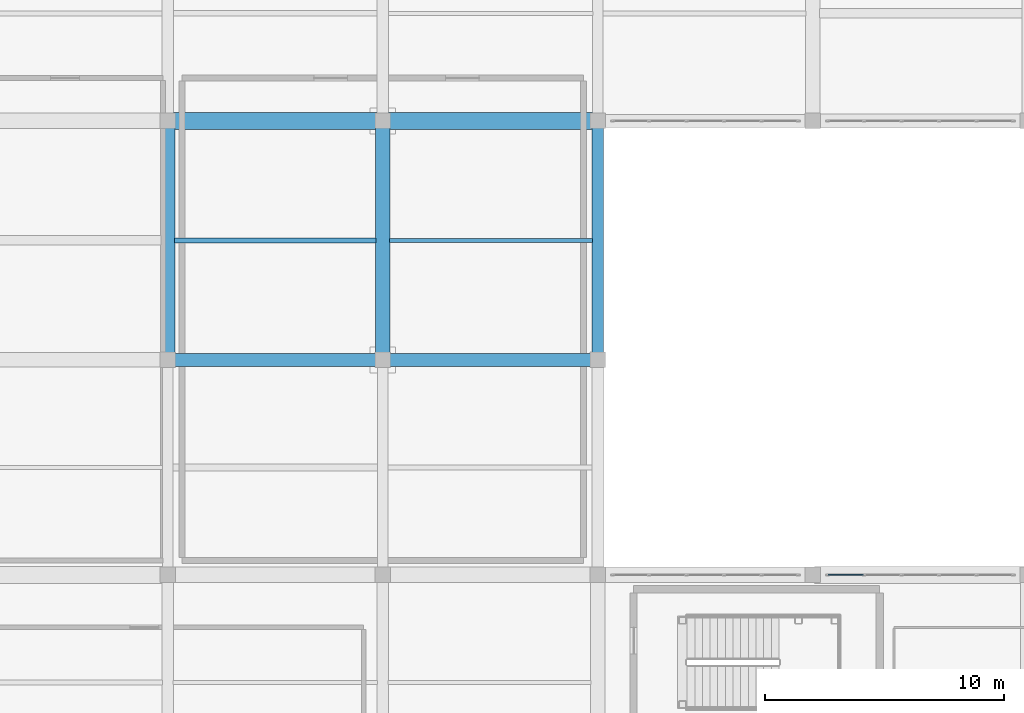
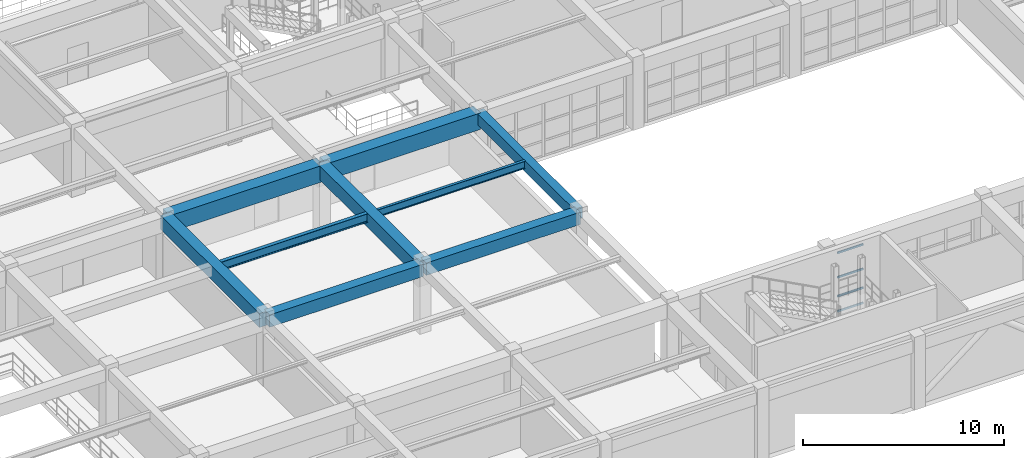
# One storey, part 45 of 133: 9 beams, 4 members, 1 element without a shape of its own.
"""IFC4 building model written with IfcOpenShell, lengths in metres."""

from ifc_helpers import new_model, si_unit, direction, frame, origin, origin_2d, place, context, subcontext, project, spatial, rectangle, hollow_rectangle, i_section, extrude, material, material_profile, profile_set, type_object, element, aggregate, save


model = new_model("IFC4")

# Units and contexts
model_context = context("Model", 3, precision=1e-05, world=origin(), true_north=direction((0.0, 1.0)))
body_context = subcontext(model_context, "Body", "Model", "MODEL_VIEW")
ifc_project = project(units=[si_unit("LENGTHUNIT", "METRE"), si_unit("AREAUNIT", "SQUARE_METRE"), si_unit("VOLUMEUNIT", "CUBIC_METRE"), si_unit("PLANEANGLEUNIT", "RADIAN"), si_unit("MASSUNIT", "GRAM", prefix="KILO")], contexts=[model_context])

# Site, building, storey
site_placement = place(None, origin())
site = spatial("IfcSite", under=ifc_project, at=site_placement, CompositionType="ELEMENT")
building_placement = place(site_placement, origin())
building = spatial("IfcBuilding", under=site, at=building_placement, Name="Miravela Opera House", CompositionType="ELEMENT")
storey_placement = place(building_placement, frame((0.0, 0.0, 5.10009765625)))
storey = spatial("IfcBuildingStorey", under=building, at=storey_placement, Name="L01", CompositionType="ELEMENT", Elevation=5.10009765625)

# Curtain wall, members
ifc_material_1 = material(Name="Anodised architectural bronze aluminium 6063-T6", Category="aluminium")
curtain_wall_type = type_object("IfcCurtainWallType", Name="ARC-CW-06", PredefinedType="NOTDEFINED", material=ifc_material_1)
curtain_wall_placement = place(storey_placement, origin())
curtain_wall = element("IfcCurtainWall", 1, at=curtain_wall_placement, inside=storey, type_object=curtain_wall_type, Name="Courtyard Arcade Curtain Wall CW-L01-175", PredefinedType="NOTDEFINED")
ifc_material_profile_1 = material_profile(ifc_material_1, hollow_rectangle(XDim=0.06005859375, YDim=0.114990234375, WallThickness=0.00390625, InnerFilletRadius=0.001953125, OuterFilletRadius=0.00390625, at=origin_2d()), Name="CWT-60X115")
ifc_profile_set_1 = profile_set([ifc_material_profile_1])
member_type = type_object("IfcMemberType", Name="ARC-CWT-115", PredefinedType="USERDEFINED", material=ifc_profile_set_1)
member_1_placement = place(storey_placement, frame((126.639892578125, 9.0, 0.02978515625), z_axis=(1.0, 0.0, 0.0), x_axis=(0.0, 1.0, 0.0)))
member_1 = element("IfcMember", 2, at=member_1_placement, type_object=member_type, Name="CW-06 transom 1.1", ObjectType="TRANSOM", PredefinedType="USERDEFINED", context=body_context, shape_type="SweptSolid", body=[
    extrude(hollow_rectangle(XDim=0.06005859375, YDim=0.114990234375, WallThickness=0.00390625, InnerFilletRadius=0.001953125, OuterFilletRadius=0.00390625, at=origin_2d()), origin(), (0.0, 0.0, 1.0), 1.47802734375),
])
member_2_placement = place(storey_placement, frame((126.639892578125, 9.0, 0.949951171875), z_axis=(1.0, 0.0, 0.0), x_axis=(0.0, 1.0, 0.0)))
member_2 = element("IfcMember", 3, at=member_2_placement, type_object=member_type, Name="CW-06 transom 1.2", ObjectType="TRANSOM", PredefinedType="USERDEFINED", context=body_context, shape_type="SweptSolid", body=[
    extrude(hollow_rectangle(XDim=0.06005859375, YDim=0.114990234375, WallThickness=0.00390625, InnerFilletRadius=0.001953125, OuterFilletRadius=0.00390625, at=origin_2d()), origin(), (0.0, 0.0, 1.0), 1.47802734375),
])
member_3_placement = place(storey_placement, frame((126.639892578125, 9.0, 2.09375), z_axis=(1.0, 0.0, 0.0), x_axis=(0.0, 1.0, 0.0)))
member_3 = element("IfcMember", 4, at=member_3_placement, type_object=member_type, Name="CW-06 transom 1.3", ObjectType="TRANSOM", PredefinedType="USERDEFINED", context=body_context, shape_type="SweptSolid", body=[
    extrude(hollow_rectangle(XDim=0.06005859375, YDim=0.114990234375, WallThickness=0.00390625, InnerFilletRadius=0.001953125, OuterFilletRadius=0.00390625, at=origin_2d()), origin(), (0.0, 0.0, 1.0), 1.47802734375),
])
member_4_placement = place(storey_placement, frame((126.639892578125, 9.0, 3.579833984375), z_axis=(1.0, 0.0, 0.0), x_axis=(0.0, 1.0, 0.0)))
member_4 = element("IfcMember", 5, at=member_4_placement, type_object=member_type, Name="CW-06 transom 1.4", ObjectType="TRANSOM", PredefinedType="USERDEFINED", context=body_context, shape_type="SweptSolid", body=[
    extrude(hollow_rectangle(XDim=0.06005859375, YDim=0.114990234375, WallThickness=0.00390625, InnerFilletRadius=0.001953125, OuterFilletRadius=0.00390625, at=origin_2d()), origin(), (0.0, 0.0, 1.0), 1.47802734375),
])
aggregate(curtain_wall, [member_1, member_2, member_3, member_4])

# Beams
ifc_material_2 = material(Name="Concrete C35/45", Category="concrete")
ifc_material_profile_2 = material_profile(ifc_material_2, rectangle(XDim=0.47998046875, YDim=0.679931640625, at=origin_2d()), Name="RC-BM-480X680")
ifc_profile_set_2 = profile_set([ifc_material_profile_2])
beam_type_1 = type_object("IfcBeamType", Name="STR-BM-RC480X680", PredefinedType="BEAM", material=ifc_profile_set_2)
beam_1_placement = place(storey_placement, frame((117.0, 18.080078125, 3.81982421875), z_axis=(0.0, 1.0, 0.0), x_axis=(-1.0, 0.0, 0.0)))
element("IfcBeam", 6, at=beam_1_placement, inside=storey, type_object=beam_type_1, Name="Floor Girder L01 14/C-D", PredefinedType="BEAM", context=body_context, shape_type="SweptSolid", body=[
    extrude(rectangle(XDim=0.47998046875, YDim=0.679931640625, at=origin_2d()), origin(), (0.0, 0.0, 1.0), 9.83984375),
])
ifc_material_profile_3 = material_profile(ifc_material_2, rectangle(XDim=0.550048828125, YDim=0.75, at=origin_2d()), Name="RC-BM-550X750")
ifc_profile_set_3 = profile_set([ifc_material_profile_3])
beam_type_2 = type_object("IfcBeamType", Name="STR-BM-RC550X750", PredefinedType="BEAM", material=ifc_profile_set_3)
for number, where, z_axis, x_axis, name in (
    (7, (99.080078125, 18.0, 3.784912109375), (1.0, 0.0, 0.0), (0.0, 1.0, 0.0), "Floor Girder L01 12-13/C"),
    (8, (108.080078125, 18.0, 3.784912109375), (1.0, 0.0, 0.0), (0.0, 1.0, 0.0), "Floor Girder L01 13-14/C"),
):
    element("IfcBeam", number, at=place(storey_placement, frame(where, z_axis=z_axis, x_axis=x_axis)), inside=storey, type_object=beam_type_2, Name=name, PredefinedType="BEAM", context=body_context, shape_type="SweptSolid", body=[
        extrude(rectangle(XDim=0.550048828125, YDim=0.75, at=origin_2d()), origin(), (0.0, 0.0, 1.0), 8.83984375),
    ])
ifc_material_3 = material(Name="Concrete C40/50", Category="concrete")
ifc_material_profile_4 = material_profile(ifc_material_3, rectangle(XDim=0.60009765625, YDim=0.85009765625, at=origin_2d()), Name="RC-BM-600X850")
ifc_profile_set_4 = profile_set([ifc_material_profile_4])
beam_type_3 = type_object("IfcBeamType", Name="STR-BM-RC600X850", PredefinedType="BEAM", material=ifc_profile_set_4)
for number, where, z_axis, x_axis, name in (
    (9, (99.0, 18.080078125, 3.73486328125), (0.0, 1.0, 0.0), (-1.0, 0.0, 0.0), "Floor Girder L01 12/C-D"),
    (10, (108.0, 18.080078125, 3.73486328125), (0.0, 1.0, 0.0), (-1.0, 0.0, 0.0), "Floor Girder L01 13/C-D"),
):
    element("IfcBeam", number, at=place(storey_placement, frame(where, z_axis=z_axis, x_axis=x_axis)), inside=storey, type_object=beam_type_3, Name=name, PredefinedType="BEAM", context=body_context, shape_type="SweptSolid", body=[
        extrude(rectangle(XDim=0.60009765625, YDim=0.85009765625, at=origin_2d()), origin(), (0.0, 0.0, 1.0), 9.83984375),
    ])
ifc_material_profile_5 = material_profile(ifc_material_3, rectangle(XDim=0.699951171875, YDim=1.0, at=origin_2d()), Name="RC-BM-700X1000")
ifc_profile_set_5 = profile_set([ifc_material_profile_5])
beam_type_4 = type_object("IfcBeamType", Name="STR-BM-RC700X1000", PredefinedType="BEAM", material=ifc_profile_set_5)
for number, where, z_axis, x_axis, name in (
    (11, (99.080078125, 28.0, 3.659912109375), (1.0, 0.0, 0.0), (0.0, 1.0, 0.0), "Floor Girder L01 12-13/D"),
    (12, (108.080078125, 28.0, 3.659912109375), (1.0, 0.0, 0.0), (0.0, 1.0, 0.0), "Floor Girder L01 13-14/D"),
):
    element("IfcBeam", number, at=place(storey_placement, frame(where, z_axis=z_axis, x_axis=x_axis)), inside=storey, type_object=beam_type_4, Name=name, PredefinedType="BEAM", context=body_context, shape_type="SweptSolid", body=[
        extrude(rectangle(XDim=0.699951171875, YDim=1.0, at=origin_2d()), origin(), (0.0, 0.0, 1.0), 8.83984375),
    ])
ifc_material_4 = material(Name="Structural steel ASTM A992 Gr. 50", Category="steel")
ifc_material_profile_6 = material_profile(ifc_material_4, i_section(OverallWidth=0.154052734375, OverallDepth=0.458984375, WebThickness=0.009033203125, FlangeThickness=0.015380859375, FilletRadius=0.013916015625, at=origin_2d()), Name="W460X68")
ifc_profile_set_6 = profile_set([ifc_material_profile_6])
beam_type_5 = type_object("IfcBeamType", Name="STR-BM-W460X68", PredefinedType="JOIST", material=ifc_profile_set_6)
beam_2_placement = place(storey_placement, frame((108.284912109375, 23.0, 3.930419921875), z_axis=(1.0, 0.0, 0.0), x_axis=(0.0, 1.0, 0.0)))
element("IfcBeam", 13, at=beam_2_placement, inside=storey, type_object=beam_type_5, Name="Secondary Floor Joist L01 13-14/C-D", PredefinedType="JOIST", context=body_context, shape_type="SweptSolid", body=[
    extrude(i_section(OverallWidth=0.154052734375, OverallDepth=0.458984375, WebThickness=0.009033203125, FlangeThickness=0.015380859375, FilletRadius=0.013916015625, at=origin_2d()), origin(), (0.0, 0.0, 1.0), 8.489990234375),
])
ifc_material_profile_7 = material_profile(ifc_material_4, i_section(OverallWidth=0.208984375, OverallDepth=0.532958984375, WebThickness=0.01025390625, FlangeThickness=0.015625, FilletRadius=0.014892578125, at=origin_2d()), Name="W530X92")
ifc_profile_set_7 = profile_set([ifc_material_profile_7])
beam_type_6 = type_object("IfcBeamType", Name="STR-BM-W530X92", PredefinedType="BEAM", material=ifc_profile_set_7)
beam_3_placement = place(storey_placement, frame((99.284912109375, 23.0, 3.893310546875), z_axis=(1.0, 0.0, 0.0), x_axis=(0.0, 1.0, 0.0)))
element("IfcBeam", 14, at=beam_3_placement, inside=storey, type_object=beam_type_6, Name="Secondary Floor Joist L01 12-13/C-D", PredefinedType="BEAM", context=body_context, shape_type="SweptSolid", body=[
    extrude(i_section(OverallWidth=0.208984375, OverallDepth=0.532958984375, WebThickness=0.01025390625, FlangeThickness=0.015625, FilletRadius=0.014892578125, at=origin_2d()), origin(), (0.0, 0.0, 1.0), 8.43017578125),
])

save(model, "model.ifc")
